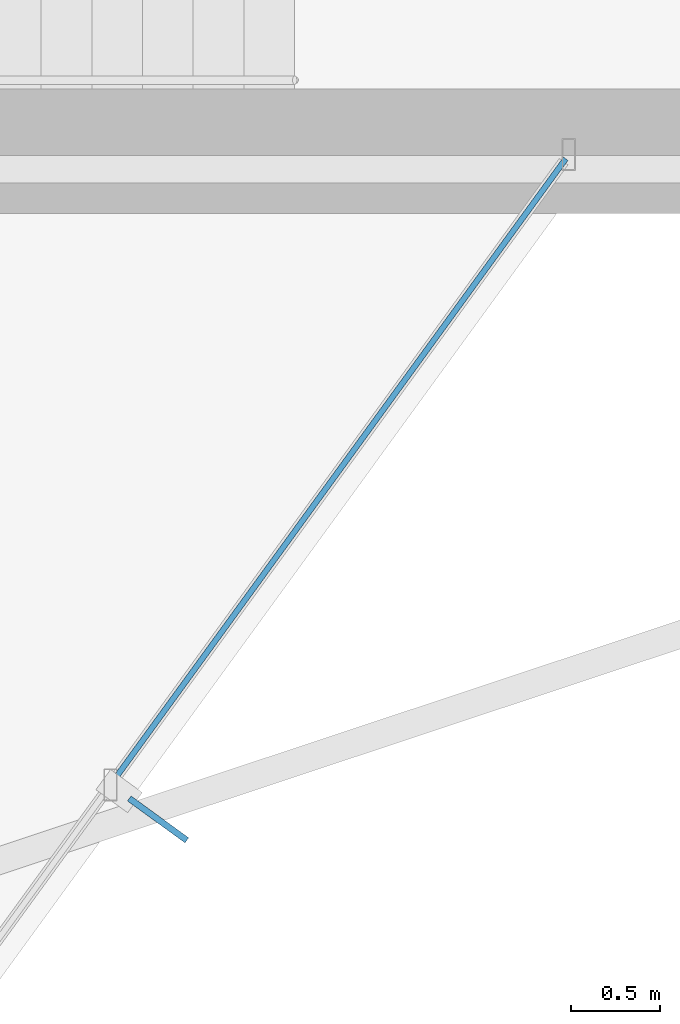
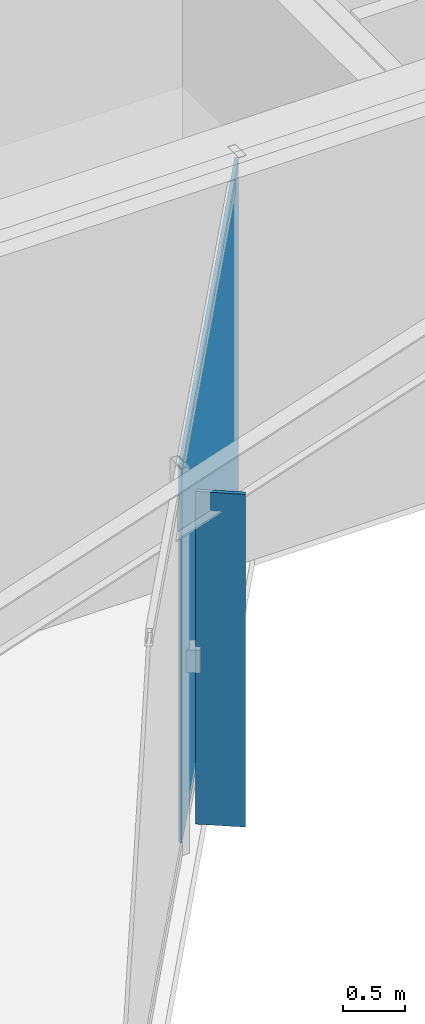
# One storey, part 17 of 21: 2 plates, 1 element without a shape of its own.
"""IFC4 building model written with IfcOpenShell, lengths in metres."""

from ifc_helpers import new_model, si_unit, direction, frame, origin, origin_2d, place, context, subcontext, project, spatial, rectangle, extrude, material, layer, layer_set, type_object, element, aggregate, save


model = new_model("IFC4")

# Units and contexts
model_context = context("Model", 3, precision=1e-05, world=origin(), true_north=direction((0.0, 1.0)))
body_context = subcontext(model_context, "Body", "Model", "MODEL_VIEW")
ifc_project = project(units=[si_unit("LENGTHUNIT", "METRE"), si_unit("AREAUNIT", "SQUARE_METRE"), si_unit("VOLUMEUNIT", "CUBIC_METRE"), si_unit("PLANEANGLEUNIT", "RADIAN"), si_unit("MASSUNIT", "GRAM", prefix="KILO")], contexts=[model_context])

# Site, building, storey
site_placement = place(None, origin())
site = spatial("IfcSite", under=ifc_project, at=site_placement, CompositionType="ELEMENT")
building_placement = place(site_placement, origin())
building = spatial("IfcBuilding", under=site, at=building_placement, Name="Veymaron Broadcast Tower", CompositionType="ELEMENT")
storey_placement = place(building_placement, frame((0.0, 0.0, 228.300048828125)))
storey = spatial("IfcBuildingStorey", under=building, at=storey_placement, Name="L53", CompositionType="ELEMENT", Elevation=228.300048828125)

# Curtain wall, plate
ifc_material_1 = material(Name="Anodised aluminium AA 6063-T6 and laminated low-E dark glass", Category="aluminium")
ifc_layer_1 = layer(ifc_material_1, 0.179931640625)
ifc_layer_set_1 = layer_set([ifc_layer_1], Name="Anodised aluminium AA 6063-T6 and laminated low-E dark glass")
curtain_wall_type = type_object("IfcCurtainWallType", Name="CW-SYS-05", PredefinedType="NOTDEFINED", material=ifc_layer_set_1)
curtain_wall_placement = place(storey_placement, origin())
curtain_wall = element("IfcCurtainWall", 1, at=curtain_wall_placement, inside=storey, type_object=curtain_wall_type, Name="L53 dark-glass curtain wall CW-L53-E20-1", PredefinedType="NOTDEFINED")
ifc_material_2 = material(Name="Double-silver solar-control dark glass IGU 32 mm", Category="glass")
ifc_layer_2 = layer(ifc_material_2, 0.031982421875)
ifc_layer_set_2 = layer_set([ifc_layer_2], Name="Double-silver solar-control dark glass IGU 32 mm")
plate_type_1 = type_object("IfcPlateType", Name="CW-PNL-02", PredefinedType="CURTAIN_PANEL", material=ifc_layer_set_2)
plate_1_placement = place(storey_placement, frame((44.817626953125, 14.311767578125, 0.0400390625), z_axis=(0.0, 0.0, 1.0), x_axis=(0.588109965161, 0.808780977075, 0.0)))
plate_1 = element("IfcPlate", 2, at=plate_1_placement, type_object=plate_type_1, Name="CW-L53-E20-1 unitised curtain panel 1", PredefinedType="CURTAIN_PANEL", context=body_context, shape_type="SweptSolid", body=[
    extrude(rectangle(XDim=4.318115234375, YDim=0.031982421875, at=origin_2d()), origin(), (0.0, 0.0, 1.0), 3.7099609375),
])
aggregate(curtain_wall, [plate_1])

# Plate
ifc_material_3 = material(Name="Dark-anodised aluminium AA 6061-T6", Category="aluminium")
ifc_layer_3 = layer(ifc_material_3, 0.031982421875)
ifc_layer_set_3 = layer_set([ifc_layer_3], Name="Dark-anodised aluminium AA 6061-T6")
plate_type_2 = type_object("IfcPlateType", Name="FIN-CHEV-03", PredefinedType="USERDEFINED", material=ifc_layer_set_3)
plate_2_placement = place(storey_placement, frame((43.797119140625, 12.34716796875, 0.26513671875), z_axis=(0.0, 0.0, 1.0), x_axis=(0.808780977075, -0.588109965161, 0.0)))
element("IfcPlate", 3, at=plate_2_placement, inside=storey, type_object=plate_type_2, Name="CW-L53-E20-1 chevron fin 1", ObjectType="FIN", PredefinedType="USERDEFINED", context=body_context, shape_type="SweptSolid", body=[
    extrude(rectangle(XDim=0.39990234375, YDim=0.034912109375, at=origin_2d()), origin(), (0.0, 0.0, 1.0), 3.259521484375),
])

save(model, "model.ifc")
